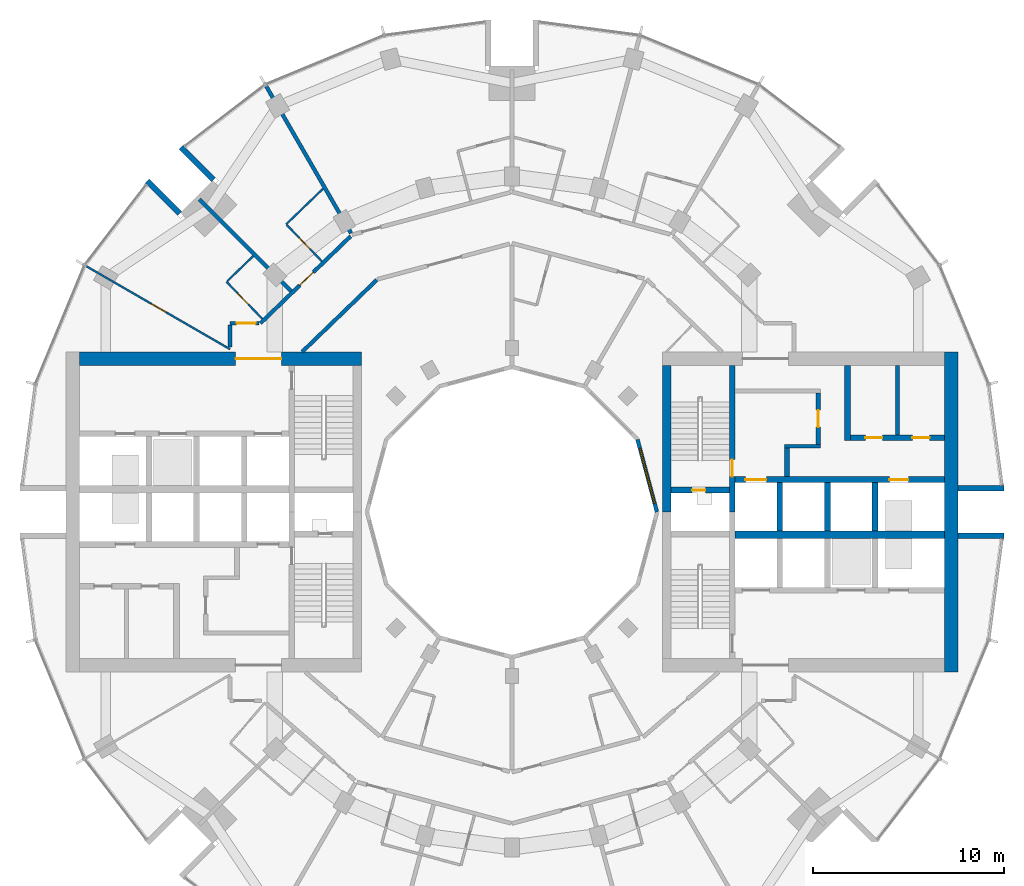
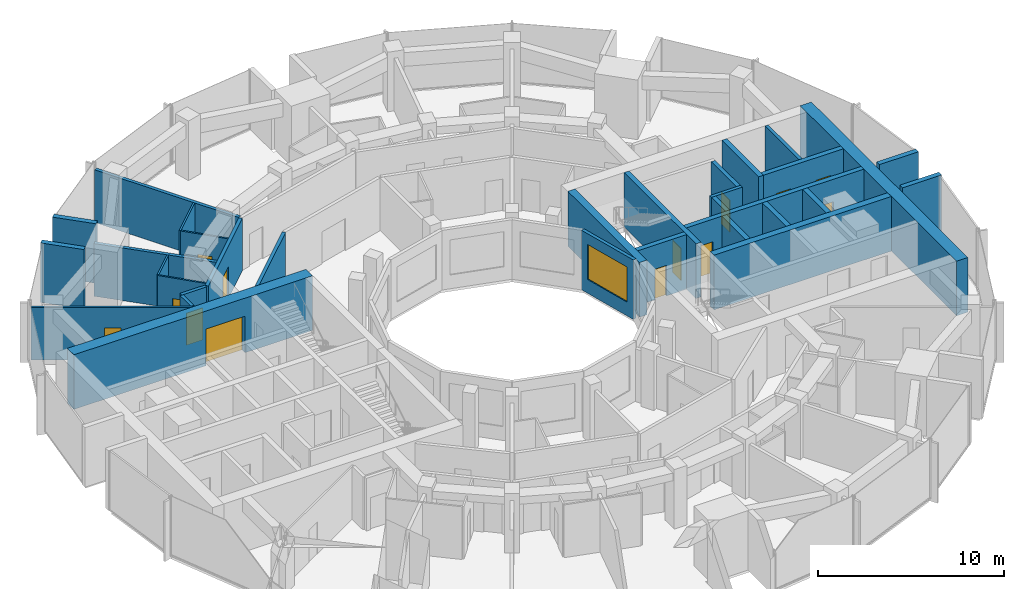
# One storey, part 11 of 15: 32 walls, 13 doors, 1 window, 14 openings.
"""IFC4 building model written with IfcOpenShell, lengths in metres."""

from ifc_helpers import new_model, si_unit, direction, frame, frame_2d, origin, place, context, subcontext, project, spatial, rectangle, extrude, material, layer, layer_set, type_object, element, fill, save


model = new_model("IFC4")

# Units and contexts
model_context = context("Model", 3, precision=1e-05, world=origin(), true_north=direction((0.0, 1.0)))
body_context = subcontext(model_context, "Body", "Model", "MODEL_VIEW")
ifc_project = project(units=[si_unit("LENGTHUNIT", "METRE"), si_unit("AREAUNIT", "SQUARE_METRE"), si_unit("VOLUMEUNIT", "CUBIC_METRE"), si_unit("PLANEANGLEUNIT", "RADIAN"), si_unit("MASSUNIT", "GRAM", prefix="KILO")], contexts=[model_context])

# Site, building, storey
site_placement = place(None, origin())
site = spatial("IfcSite", under=ifc_project, at=site_placement, CompositionType="ELEMENT")
building_placement = place(site_placement, origin())
building = spatial("IfcBuilding", under=site, at=building_placement, Name="Torre Brocal", CompositionType="ELEMENT")
storey_placement = place(building_placement, frame((0.0, 0.0, 114.60009765625)))
storey = spatial("IfcBuildingStorey", under=building, at=storey_placement, Name="L26", CompositionType="ELEMENT", Elevation=114.60009765625)

# Walls
ifc_material_1 = material(Name="Masonry block", Category="masonry")
ifc_layer_1 = layer(ifc_material_1, 0.199951171875)
ifc_layer_set_1 = layer_set([ifc_layer_1], Name="Masonry block")
wall_type_1 = type_object("IfcWallType", Name="CORE PARTITION 200", PredefinedType="PARTITIONING", material=ifc_layer_set_1)
wall_1_placement = place(storey_placement, frame((100.22509765625, 79.050048828125, 0.0), z_axis=(0.0, 0.0, 1.0), x_axis=(0.0, 1.0, 0.0)))
element("IfcWall", 1, at=wall_1_placement, inside=storey, type_object=wall_type_1, Name="Wall CP200", PredefinedType="PARTITIONING", context=body_context, shape_type="SweptSolid", body=[
    extrude(rectangle(XDim=3.64990234375, YDim=0.199951171875, at=frame_2d((1.824951171875, 0.0))), origin(), (0.0, 0.0, 1.0), 3.579833984375),
])
ifc_material_2 = material(Name="Concrete C70", Category="concrete")
ifc_layer_2 = layer(ifc_material_2, 0.199951171875)
ifc_layer_set_2 = layer_set([ifc_layer_2], Name="Concrete C70")
wall_type_2 = type_object("IfcWallType", Name="CORE WALL 200 C70", PredefinedType="SHEAR", material=ifc_layer_set_2)
wall_2_placement = place(storey_placement, frame((94.300048828125, 78.449951171875, 0.0), z_axis=(0.0, 0.0, 1.0), x_axis=(1.0, 0.0, 0.0)))
element("IfcWall", 2, at=wall_2_placement, inside=storey, type_object=wall_type_2, Name="Wall CW200-70", PredefinedType="SHEAR", context=body_context, shape_type="SweptSolid", body=[
    extrude(rectangle(XDim=1.89990234375, YDim=0.199951171875, at=frame_2d((0.949951171875, 0.0))), origin(), (0.0, 0.0, 1.0), 3.579833984375),
])

# Wall, opening, door
ifc_material_3 = material(Name="Concrete C70", Category="concrete")
ifc_layer_3 = layer(ifc_material_3, 0.25)
ifc_layer_set_3 = layer_set([ifc_layer_3], Name="Concrete C70")
wall_type_3 = type_object("IfcWallType", Name="CORE WALL 250 C70", PredefinedType="SHEAR", material=ifc_layer_set_3)
wall_3_placement = place(storey_placement, frame((96.074951171875, 78.550048828125, 0.0), z_axis=(0.0, 0.0, 1.0), x_axis=(0.0, 1.0, 0.0)))
wall_3 = element("IfcWall", 3, at=wall_3_placement, inside=storey, type_object=wall_type_3, Name="Wall CW250-70", PredefinedType="SHEAR", context=body_context, shape_type="SweptSolid", body=[
    extrude(rectangle(XDim=2.699951171875, YDim=0.25, at=frame_2d((1.35009765625, 0.0))), origin(), (0.0, 0.0, 1.0), 3.579833984375),
])
opening_1_placement = place(wall_3_placement, frame((0.89990234375, 0.0, 0.0)))
opening_1 = element("IfcOpeningElement", 4, at=opening_1_placement, cuts=wall_3, Name="Opening E-D15", PredefinedType="OPENING", context=body_context, shape_type="SweptSolid", body=[
    extrude(rectangle(XDim=0.89990234375, YDim=2.10009765625, at=frame_2d((0.449951171875, 1.050048828125))), frame((0.0, 0.135009765625, 0.0), z_axis=(0.0, -1.0, 0.0), x_axis=(1.0, 0.0, 0.0)), (0.0, 0.0, 1.0), 0.27001953125),
])
ifc_material_4 = material(Name="Steel A653", Category="steel")
door_type_1 = type_object("IfcDoorType", Name="LOBBY DOOR FD120 900X2100", OperationType="SINGLE_SWING_RIGHT", PredefinedType="DOOR", material=ifc_material_4)
door_1_placement = place(opening_1_placement, origin())
door_1 = element("IfcDoor", 5, at=door_1_placement, inside=storey, type_object=door_type_1, Name="Door E-D15", OperationType="SINGLE_SWING_LEFT", OverallHeight=2.10009765625, OverallWidth=0.89990234375, PredefinedType="DOOR", context=body_context, shape_type="SweptSolid", body=[
    extrude(rectangle(XDim=0.89990234375, YDim=2.10009765625, at=frame_2d((0.449951171875, 1.050048828125))), frame((0.0, 0.02490234375, 0.0), z_axis=(0.0, -1.0, 0.0), x_axis=(1.0, 0.0, 0.0)), (0.0, 0.0, 1.0), 0.050048828125),
])
fill(opening_1, door_1)

# Wall
wall_4_placement = place(storey_placement, frame((94.425048828125, 76.85009765625, 0.0), z_axis=(0.0, 0.0, 1.0), x_axis=(0.0, 1.0, 0.0)))
element("IfcWall", 6, at=wall_4_placement, inside=storey, type_object=wall_type_3, Name="Wall CW250-70", PredefinedType="SHEAR", context=body_context, shape_type="SweptSolid", body=[
    extrude(rectangle(XDim=1.5, YDim=0.25, at=frame_2d((0.75, 0.0))), origin(), (0.0, 0.0, 1.0), 3.579833984375),
])

# Wall, opening, door
ifc_material_5 = material(Name="Concrete C70", Category="concrete")
ifc_layer_4 = layer(ifc_material_5, 0.300048828125)
ifc_layer_set_4 = layer_set([ifc_layer_4], Name="Concrete C70")
wall_type_4 = type_object("IfcWallType", Name="CORE WALL 300 C70", PredefinedType="SHEAR", material=ifc_layer_set_4)
wall_5_placement = place(storey_placement, frame((91.550048828125, 75.0, 0.0), z_axis=(0.0, 0.0, 1.0), x_axis=(0.0, 1.0, 0.0)))
wall_5 = element("IfcWall", 7, at=wall_5_placement, inside=storey, type_object=wall_type_4, Name="Wall CW300-70", PredefinedType="SHEAR", context=body_context, shape_type="SweptSolid", body=[
    extrude(rectangle(XDim=7.699951171875, YDim=0.300048828125, at=frame_2d((3.85009765625, 0.0))), origin(), (0.0, 0.0, 1.0), 3.579833984375),
])
opening_2_placement = place(wall_5_placement, frame((1.85009765625, 0.0, 0.0)))
opening_2 = element("IfcOpeningElement", 8, at=opening_2_placement, cuts=wall_5, Name="Opening E-D02", PredefinedType="OPENING", context=body_context, shape_type="SweptSolid", body=[
    extrude(rectangle(XDim=0.89990234375, YDim=2.10009765625, at=frame_2d((0.449951171875, 1.050048828125))), frame((0.0, 0.159912109375, 0.0), z_axis=(0.0, -1.0, 0.0), x_axis=(1.0, 0.0, 0.0)), (0.0, 0.0, 1.0), 0.320068359375),
])
ifc_material_6 = material(Name="Steel A653", Category="steel")
door_type_2 = type_object("IfcDoorType", Name="STAIR DOOR FD120 900X2100", OperationType="SINGLE_SWING_RIGHT", PredefinedType="DOOR", material=ifc_material_6)
door_2_placement = place(opening_2_placement, origin())
door_2 = element("IfcDoor", 9, at=door_2_placement, inside=storey, type_object=door_type_2, Name="Door E-D02", OperationType="SINGLE_SWING_LEFT", OverallHeight=2.10009765625, OverallWidth=0.89990234375, PredefinedType="DOOR", context=body_context, shape_type="SweptSolid", body=[
    extrude(rectangle(XDim=0.89990234375, YDim=2.10009765625, at=frame_2d((0.449951171875, 1.050048828125))), frame((0.0, 0.02490234375, 0.0), z_axis=(0.0, -1.0, 0.0), x_axis=(1.0, 0.0, 0.0)), (0.0, 0.0, 1.0), 0.050048828125),
])
fill(opening_2, door_2)

wall_6_placement = place(storey_placement, frame((88.35009765625, 76.14990234375, 0.0), z_axis=(0.0, 0.0, 1.0), x_axis=(1.0, 0.0, 0.0)))
wall_6 = element("IfcWall", 10, at=wall_6_placement, inside=storey, type_object=wall_type_4, Name="Wall CW300-70", PredefinedType="SHEAR", context=body_context, shape_type="SweptSolid", body=[
    extrude(rectangle(XDim=3.0498046875, YDim=0.300048828125, at=frame_2d((1.52490234375, 0.0))), origin(), (0.0, 0.0, 1.0), 3.579833984375),
])
opening_3_placement = place(wall_6_placement, frame((1.10009765625, 0.0, 0.0)))
opening_3 = element("IfcOpeningElement", 11, at=opening_3_placement, cuts=wall_6, Name="Opening E-D01", PredefinedType="OPENING", context=body_context, shape_type="SweptSolid", body=[
    extrude(rectangle(XDim=0.699951171875, YDim=2.0, at=frame_2d((0.35009765625, 1.0))), frame((0.0, 0.159912109375, 0.0), z_axis=(0.0, -1.0, 0.0), x_axis=(1.0, 0.0, 0.0)), (0.0, 0.0, 1.0), 0.320068359375),
])
ifc_material_7 = material(Name="Steel A653", Category="steel")
door_type_3 = type_object("IfcDoorType", Name="RISER DOOR FD120 700X2000", OperationType="SINGLE_SWING_LEFT", PredefinedType="DOOR", material=ifc_material_7)
door_3_placement = place(opening_3_placement, frame((0.699951171875, 0.0, 0.0), z_axis=(0.0, 0.0, 1.0), x_axis=(-1.0, 0.0, 0.0)))
door_3 = element("IfcDoor", 12, at=door_3_placement, inside=storey, type_object=door_type_3, Name="Door E-D01", OperationType="SINGLE_SWING_RIGHT", OverallHeight=2.0, OverallWidth=0.699951171875, PredefinedType="DOOR", context=body_context, shape_type="SweptSolid", body=[
    extrude(rectangle(XDim=0.699951171875, YDim=2.0, at=frame_2d((0.35009765625, 1.0))), frame((0.0, 0.02490234375, 0.0), z_axis=(0.0, -1.0, 0.0), x_axis=(1.0, 0.0, 0.0)), (0.0, 0.0, 1.0), 0.050048828125),
])
fill(opening_3, door_3)

# Wall, openings, doors
wall_7_placement = place(storey_placement, frame((91.699951171875, 76.699951171875, 0.0), z_axis=(0.0, 0.0, 1.0), x_axis=(1.0, 0.0, 0.0)))
wall_7 = element("IfcWall", 13, at=wall_7_placement, inside=storey, type_object=wall_type_4, Name="Wall CW300-70", PredefinedType="SHEAR", context=body_context, shape_type="SweptSolid", body=[
    extrude(rectangle(XDim=11.0, YDim=0.300048828125, at=frame_2d((5.5, 0.0))), origin(), (0.0, 0.0, 1.0), 3.579833984375),
])
opening_4_placement = place(wall_7_placement, frame((0.550048828125, 0.0, 0.0)))
opening_4 = element("IfcOpeningElement", 14, at=opening_4_placement, cuts=wall_7, Name="Opening LD", PredefinedType="OPENING", context=body_context, shape_type="SweptSolid", body=[
    extrude(rectangle(XDim=1.10009765625, YDim=2.10009765625, at=frame_2d((0.550048828125, 1.050048828125))), frame((0.0, 0.159912109375, 0.0), z_axis=(0.0, -1.0, 0.0), x_axis=(1.0, 0.0, 0.0)), (0.0, 0.0, 1.0), 0.320068359375),
])
opening_5_placement = place(wall_7_placement, frame((8.10009765625, 0.0, 0.0)))
opening_5 = element("IfcOpeningElement", 15, at=opening_5_placement, cuts=wall_7, Name="Opening LD10", PredefinedType="OPENING", context=body_context, shape_type="SweptSolid", body=[
    extrude(rectangle(XDim=1.0, YDim=2.10009765625, at=frame_2d((0.5, 1.050048828125))), frame((0.0, 0.159912109375, 0.0), z_axis=(0.0, -1.0, 0.0), x_axis=(1.0, 0.0, 0.0)), (0.0, 0.0, 1.0), 0.320068359375),
])
ifc_material_8 = material(Name="Stainless steel AISI 316", Category="steel")
door_type_4 = type_object("IfcDoorType", Name="LIFT LANDING DOOR 1000X2100", OperationType="DOUBLE_DOOR_SLIDING", PredefinedType="DOOR", material=ifc_material_8)
door_4_placement = place(opening_5_placement, origin())
door_4 = element("IfcDoor", 16, at=door_4_placement, inside=storey, type_object=door_type_4, Name="Door LD10", OperationType="DOUBLE_DOOR_SLIDING", OverallHeight=2.10009765625, OverallWidth=1.0, PredefinedType="DOOR", context=body_context, shape_type="SweptSolid", body=[
    extrude(rectangle(XDim=1.0, YDim=2.10009765625, at=frame_2d((0.5, 1.050048828125))), frame((0.0, 0.02490234375, 0.0), z_axis=(0.0, -1.0, 0.0), x_axis=(1.0, 0.0, 0.0)), (0.0, 0.0, 1.0), 0.050048828125),
])
fill(opening_5, door_4)
ifc_material_9 = material(Name="Stainless steel AISI 316", Category="steel")
door_type_5 = type_object("IfcDoorType", Name="LIFT LANDING DOOR 1100X2100", OperationType="DOUBLE_DOOR_SLIDING", PredefinedType="DOOR", material=ifc_material_9)
door_5_placement = place(opening_4_placement, origin())
door_5 = element("IfcDoor", 17, at=door_5_placement, inside=storey, type_object=door_type_5, Name="Door LD", OperationType="DOUBLE_DOOR_SLIDING", OverallHeight=2.10009765625, OverallWidth=1.10009765625, PredefinedType="DOOR", context=body_context, shape_type="SweptSolid", body=[
    extrude(rectangle(XDim=1.10009765625, YDim=2.10009765625, at=frame_2d((0.550048828125, 1.050048828125))), frame((0.0, 0.02490234375, 0.0), z_axis=(0.0, -1.0, 0.0), x_axis=(1.0, 0.0, 0.0)), (0.0, 0.0, 1.0), 0.050048828125),
])
fill(opening_4, door_5)

# Walls
for number, where, z_axis, x_axis, name in (
    (18, (94.050048828125, 74.0, 0.0), (0.0, 0.0, 1.0), (0.0, 1.0, 0.0), "Wall CW300-70"),
    (19, (96.550048828125, 74.0, 0.0), (0.0, 0.0, 1.0), (0.0, 1.0, 0.0), "Wall CW300-70"),
    (20, (99.050048828125, 74.0, 0.0), (0.0, 0.0, 1.0), (0.0, 1.0, 0.0), "Wall CW300-70"),
):
    element("IfcWall", number, at=place(storey_placement, frame(where, z_axis=z_axis, x_axis=x_axis)), inside=storey, type_object=wall_type_4, Name=name, PredefinedType="SHEAR", context=body_context, shape_type="SweptSolid", body=[
        extrude(rectangle(XDim=2.550048828125, YDim=0.300048828125, at=frame_2d((1.27490234375, 0.0))), origin(), (0.0, 0.0, 1.0), 3.579833984375),
    ])
wall_8_placement = place(storey_placement, frame((97.60009765625, 78.75, 0.0), z_axis=(0.0, 0.0, 1.0), x_axis=(0.0, 1.0, 0.0)))
element("IfcWall", 21, at=wall_8_placement, inside=storey, type_object=wall_type_4, Name="Wall CW300-70", PredefinedType="SHEAR", context=body_context, shape_type="SweptSolid", body=[
    extrude(rectangle(XDim=3.949951171875, YDim=0.300048828125, at=frame_2d((1.97509765625, 0.0))), origin(), (0.0, 0.0, 1.0), 3.579833984375),
])

# Wall, openings, doors
wall_9_placement = place(storey_placement, frame((97.75, 78.89990234375, 0.0), z_axis=(0.0, 0.0, 1.0), x_axis=(1.0, 0.0, 0.0)))
wall_9 = element("IfcWall", 22, at=wall_9_placement, inside=storey, type_object=wall_type_4, Name="Wall CW300-70", PredefinedType="SHEAR", context=body_context, shape_type="SweptSolid", body=[
    extrude(rectangle(XDim=4.949951171875, YDim=0.300048828125, at=frame_2d((2.47509765625, 0.0))), origin(), (0.0, 0.0, 1.0), 3.579833984375),
])
opening_6_placement = place(wall_9_placement, frame((0.78759765625, 0.0, 0.0)))
opening_6 = element("IfcOpeningElement", 23, at=opening_6_placement, cuts=wall_9, Name="Opening E-D05", PredefinedType="OPENING", context=body_context, shape_type="SweptSolid", body=[
    extrude(rectangle(XDim=0.89990234375, YDim=2.10009765625, at=frame_2d((0.449951171875, 1.050048828125))), frame((0.0, 0.159912109375, 0.0), z_axis=(0.0, -1.0, 0.0), x_axis=(1.0, 0.0, 0.0)), (0.0, 0.0, 1.0), 0.320068359375),
])
opening_7_placement = place(wall_9_placement, frame((3.262451171875, 0.0, 0.0)))
opening_7 = element("IfcOpeningElement", 24, at=opening_7_placement, cuts=wall_9, Name="Opening E-D06", PredefinedType="OPENING", context=body_context, shape_type="SweptSolid", body=[
    extrude(rectangle(XDim=0.89990234375, YDim=2.10009765625, at=frame_2d((0.449951171875, 1.050048828125))), frame((0.0, 0.159912109375, 0.0), z_axis=(0.0, -1.0, 0.0), x_axis=(1.0, 0.0, 0.0)), (0.0, 0.0, 1.0), 0.320068359375),
])
ifc_material_10 = material(Name="Steel A653", Category="steel")
door_type_6 = type_object("IfcDoorType", Name="ROOM DOOR FD30S 900X2100", OperationType="SINGLE_SWING_LEFT", PredefinedType="DOOR", material=ifc_material_10)
door_6_placement = place(opening_6_placement, origin())
door_6 = element("IfcDoor", 25, at=door_6_placement, inside=storey, type_object=door_type_6, Name="Door E-D05", OperationType="SINGLE_SWING_RIGHT", OverallHeight=2.10009765625, OverallWidth=0.89990234375, PredefinedType="DOOR", context=body_context, shape_type="SweptSolid", body=[
    extrude(rectangle(XDim=0.89990234375, YDim=2.10009765625, at=frame_2d((0.449951171875, 1.050048828125))), frame((0.0, 0.02490234375, 0.0), z_axis=(0.0, -1.0, 0.0), x_axis=(1.0, 0.0, 0.0)), (0.0, 0.0, 1.0), 0.050048828125),
])
fill(opening_6, door_6)
door_7_placement = place(opening_7_placement, origin())
door_7 = element("IfcDoor", 26, at=door_7_placement, inside=storey, type_object=door_type_6, Name="Door E-D06", OperationType="SINGLE_SWING_LEFT", OverallHeight=2.10009765625, OverallWidth=0.89990234375, PredefinedType="DOOR", context=body_context, shape_type="SweptSolid", body=[
    extrude(rectangle(XDim=0.89990234375, YDim=2.10009765625, at=frame_2d((0.449951171875, 1.050048828125))), frame((0.0, 0.02490234375, 0.0), z_axis=(0.0, -1.0, 0.0), x_axis=(1.0, 0.0, 0.0)), (0.0, 0.0, 1.0), 0.050048828125),
])
fill(opening_7, door_7)

# Walls
ifc_material_11 = material(Name="Concrete C70", Category="concrete")
ifc_layer_5 = layer(ifc_material_11, 0.39990234375)
ifc_layer_set_5 = layer_set([ifc_layer_5], Name="Concrete C70")
wall_type_5 = type_object("IfcWallType", Name="CORE WALL 400 C70", PredefinedType="SHEAR", material=ifc_layer_set_5)
wall_10_placement = place(storey_placement, frame((91.699951171875, 73.800048828125, 0.0), z_axis=(0.0, 0.0, 1.0), x_axis=(1.0, 0.0, 0.0)))
element("IfcWall", 27, at=wall_10_placement, inside=storey, type_object=wall_type_5, Name="Wall CW400-70", PredefinedType="SHEAR", context=body_context, shape_type="SweptSolid", body=[
    extrude(rectangle(XDim=11.0, YDim=0.39990234375, at=frame_2d((5.5, 0.0))), origin(), (0.0, 0.0, 1.0), 3.579833984375),
])
ifc_material_12 = material(Name="Concrete C70", Category="concrete")
ifc_layer_6 = layer(ifc_material_12, 0.449951171875)
ifc_layer_set_6 = layer_set([ifc_layer_6], Name="Concrete C70")
wall_type_6 = type_object("IfcWallType", Name="CORE WALL 450 C70", PredefinedType="SHEAR", material=ifc_layer_set_6)
wall_11_placement = place(storey_placement, frame((88.125, 75.0, 0.0), z_axis=(0.0, 0.0, 1.0), x_axis=(0.0, 1.0, 0.0)))
element("IfcWall", 28, at=wall_11_placement, inside=storey, type_object=wall_type_6, Name="Wall CW450-70", PredefinedType="SHEAR", context=body_context, shape_type="SweptSolid", body=[
    extrude(rectangle(XDim=7.699951171875, YDim=0.449951171875, at=frame_2d((3.85009765625, 0.0))), origin(), (0.0, 0.0, 1.0), 3.579833984375),
])
ifc_material_13 = material(Name="Concrete C70", Category="concrete")
ifc_layer_7 = layer(ifc_material_13, 0.699951171875)
ifc_layer_set_7 = layer_set([ifc_layer_7], Name="Concrete C70")
wall_type_7 = type_object("IfcWallType", Name="CORE WALL 700 C70", PredefinedType="SHEAR", material=ifc_layer_set_7)
wall_12_placement = place(storey_placement, frame((103.050048828125, 66.60009765625, 0.0), z_axis=(0.0, 0.0, 1.0), x_axis=(0.0, 1.0, 0.0)))
element("IfcWall", 29, at=wall_12_placement, inside=storey, type_object=wall_type_7, Name="Wall CW700-70", PredefinedType="SHEAR", context=body_context, shape_type="SweptSolid", body=[
    extrude(rectangle(XDim=16.7998046875, YDim=0.699951171875, at=frame_2d((8.39990234375, 0.0))), origin(), (0.0, 0.0, 1.0), 3.579833984375),
])

# Wall, opening, door
wall_13_placement = place(storey_placement, frame((72.10009765625, 83.050048828125, 0.0), z_axis=(0.0, 0.0, 1.0), x_axis=(-1.0, 0.0, 0.0)))
wall_13 = element("IfcWall", 30, at=wall_13_placement, inside=storey, type_object=wall_type_7, Name="Wall CW700-70", PredefinedType="SHEAR", context=body_context, shape_type="SweptSolid", body=[
    extrude(rectangle(XDim=14.800048828125, YDim=0.699951171875, at=frame_2d((7.39990234375, 0.0))), origin(), (0.0, 0.0, 1.0), 3.579833984375),
])
opening_8_placement = place(wall_13_placement, frame((4.199951171875, 0.0, 0.0)))
opening_8 = element("IfcOpeningElement", 31, at=opening_8_placement, cuts=wall_13, Name="Opening W-D27", PredefinedType="OPENING", context=body_context, shape_type="SweptSolid", body=[
    extrude(rectangle(XDim=2.39990234375, YDim=2.39990234375, at=frame_2d((1.199951171875, 1.199951171875))), frame((0.0, 0.35986328125, 0.0), z_axis=(0.0, -1.0, 0.0), x_axis=(1.0, 0.0, 0.0)), (0.0, 0.0, 1.0), 0.719970703125),
])
ifc_material_14 = material(Name="Steel A653", Category="steel")
door_type_7 = type_object("IfcDoorType", Name="DOUBLE FIRE DOOR FD90 2400X2400", OperationType="DOUBLE_DOOR_SINGLE_SWING", PredefinedType="DOOR", material=ifc_material_14)
door_8_placement = place(opening_8_placement, origin())
door_8 = element("IfcDoor", 32, at=door_8_placement, inside=storey, type_object=door_type_7, Name="Door W-D27", OperationType="DOUBLE_DOOR_SINGLE_SWING", OverallHeight=2.39990234375, OverallWidth=2.39990234375, PredefinedType="DOOR", context=body_context, shape_type="SweptSolid", body=[
    extrude(rectangle(XDim=2.39990234375, YDim=2.39990234375, at=frame_2d((1.199951171875, 1.199951171875))), frame((0.0, 0.02490234375, 0.0), z_axis=(0.0, -1.0, 0.0), x_axis=(1.0, 0.0, 0.0)), (0.0, 0.0, 1.0), 0.050048828125),
])
fill(opening_8, door_8)

# Walls
ifc_material_15 = material(Name="Concrete C70", Category="concrete")
ifc_layer_8 = layer(ifc_material_15, 0.300048828125)
ifc_layer_set_8 = layer_set([ifc_layer_8], Name="Concrete C70")
wall_type_8 = type_object("IfcWallType", Name="NOTCH RETURN WALL 300 C70", PredefinedType="NOTDEFINED", material=ifc_layer_set_8)
for number, where, z_axis, x_axis, name in (
    (33, (103.39990234375, 73.75, 0.0), (0.0, 0.0, 1.0), (1.0, 0.0, 0.0), "NOTCH RETURN WALL"),
    (34, (103.39990234375, 76.25, 0.0), (0.0, 0.0, 1.0), (1.0, 0.0, 0.0), "NOTCH RETURN WALL"),
    (35, (64.337646484375, 92.43017578125, 0.0), (0.0, 0.0, 1.0), (-0.707106781187, 0.707106781187, 0.0), "NOTCH RETURN WALL"),
    (36, (62.56982421875, 90.662353515625, 0.0), (0.0, 0.0, 1.0), (-0.707106781187, 0.707106781187, 0.0), "NOTCH RETURN WALL"),
):
    element("IfcWall", number, at=place(storey_placement, frame(where, z_axis=z_axis, x_axis=x_axis)), inside=storey, type_object=wall_type_8, Name=name, PredefinedType="NOTDEFINED", context=body_context, shape_type="SweptSolid", body=[
        extrude(rectangle(XDim=2.415771484375, YDim=0.300048828125, at=frame_2d((1.2080078125, 0.0))), origin(), (0.0, 0.0, 1.0), 3.89990234375),
    ])

# Wall, opening, door
ifc_material_16 = material(Name="Gypsum board", Category="Gypsum")
ifc_layer_9 = layer(ifc_material_16, 0.10009765625)
ifc_layer_set_9 = layer_set([ifc_layer_9], Name="Gypsum board")
wall_type_9 = type_object("IfcWallType", Name="PARTITION 100", PredefinedType="PARTITIONING", material=ifc_layer_set_9)
wall_14_placement = place(storey_placement, frame((57.65869140625, 87.89892578125, 0.0), z_axis=(0.0, 0.0, 1.0), x_axis=(0.86602264145, -0.500004784474, 0.0)))
wall_14 = element("IfcWall", 37, at=wall_14_placement, inside=storey, type_object=wall_type_9, Name="ROOM PARTITION", PredefinedType="PARTITIONING", context=body_context, shape_type="SweptSolid", body=[
    extrude(rectangle(XDim=8.7080078125, YDim=0.10009765625, at=frame_2d((4.35400390625, 0.0))), origin(), (0.0, 0.0, 1.0), 3.449951171875),
])
opening_9_placement = place(wall_14_placement, frame((3.928955078125, 0.0, 0.0)))
opening_9 = element("IfcOpeningElement", 38, at=opening_9_placement, cuts=wall_14, Name="Opening E01-D13", PredefinedType="OPENING", context=body_context, shape_type="SweptSolid", body=[
    extrude(rectangle(XDim=0.89990234375, YDim=2.10009765625, at=frame_2d((0.449951171875, 1.050048828125))), frame((0.0, 0.06005859375, 0.0), z_axis=(0.0, -1.0, 0.0), x_axis=(1.0, 0.0, 0.0)), (0.0, 0.0, 1.0), 0.1201171875),
])
ifc_material_17 = material(Name="Timber", Category="wood")
door_type_8 = type_object("IfcDoorType", Name="ROOM DOOR 900X2100", OperationType="SINGLE_SWING_LEFT", PredefinedType="DOOR", material=ifc_material_17)
door_9_placement = place(opening_9_placement, frame((0.89990234375, 0.0, 0.0), z_axis=(0.0, 0.0, 1.0), x_axis=(-1.0, 0.0, 0.0)))
door_9 = element("IfcDoor", 39, at=door_9_placement, inside=storey, type_object=door_type_8, Name="E01-D13", OperationType="SINGLE_SWING_LEFT", OverallHeight=2.10009765625, OverallWidth=0.89990234375, PredefinedType="DOOR", context=body_context, shape_type="SweptSolid", body=[
    extrude(rectangle(XDim=0.89990234375, YDim=2.10009765625, at=frame_2d((0.449951171875, 1.050048828125))), frame((0.0, 0.02490234375, 0.0), z_axis=(0.0, -1.0, 0.0), x_axis=(1.0, 0.0, 0.0)), (0.0, 0.0, 1.0), 0.050048828125),
])
fill(opening_9, door_9)

# Wall
wall_15_placement = place(storey_placement, frame((65.058837890625, 87.11376953125, 0.0), z_axis=(0.0, 0.0, 1.0), x_axis=(0.719715847356, 0.694268751324, 0.0)))
element("IfcWall", 40, at=wall_15_placement, inside=storey, type_object=wall_type_9, Name="BATHROOM WALL", PredefinedType="PARTITIONING", context=body_context, shape_type="SweptSolid", body=[
    extrude(rectangle(XDim=1.899658203125, YDim=0.10009765625, at=frame_2d((0.94970703125, 0.0))), origin(), (0.0, 0.0, 1.0), 3.449951171875),
])

# Wall, opening, door
wall_16_placement = place(storey_placement, frame((65.02294921875, 87.0791015625, 0.0), z_axis=(0.0, 0.0, 1.0), x_axis=(0.694287838235, -0.719697434815, 0.0)))
wall_16 = element("IfcWall", 41, at=wall_16_placement, inside=storey, type_object=wall_type_9, Name="BATHROOM WALL", PredefinedType="PARTITIONING", context=body_context, shape_type="SweptSolid", body=[
    extrude(rectangle(XDim=2.699951171875, YDim=0.10009765625, at=frame_2d((1.35009765625, 0.0))), origin(), (0.0, 0.0, 1.0), 3.449951171875),
])
opening_10_placement = place(wall_16_placement, frame((0.849853515625, 0.0, 0.0)))
opening_10 = element("IfcOpeningElement", 42, at=opening_10_placement, cuts=wall_16, Name="Opening E01-D12", PredefinedType="OPENING", context=body_context, shape_type="SweptSolid", body=[
    extrude(rectangle(XDim=0.800048828125, YDim=2.10009765625, at=frame_2d((0.39990234375, 1.050048828125))), frame((0.0, 0.06005859375, 0.0), z_axis=(0.0, -1.0, 0.0), x_axis=(1.0, 0.0, 0.0)), (0.0, 0.0, 1.0), 0.1201171875),
])
ifc_material_18 = material(Name="Timber", Category="wood")
door_type_9 = type_object("IfcDoorType", Name="BATHROOM DOOR 800X2100", OperationType="SINGLE_SWING_LEFT", PredefinedType="DOOR", material=ifc_material_18)
door_10_placement = place(opening_10_placement, origin())
door_10 = element("IfcDoor", 43, at=door_10_placement, inside=storey, type_object=door_type_9, Name="E01-D12", OperationType="SINGLE_SWING_LEFT", OverallHeight=2.10009765625, OverallWidth=0.800048828125, PredefinedType="DOOR", context=body_context, shape_type="SweptSolid", body=[
    extrude(rectangle(XDim=0.800048828125, YDim=2.10009765625, at=frame_2d((0.39990234375, 1.050048828125))), frame((0.0, 0.02490234375, 0.0), z_axis=(0.0, -1.0, 0.0), x_axis=(1.0, 0.0, 0.0)), (0.0, 0.0, 1.0), 0.050048828125),
])
fill(opening_10, door_10)

wall_17_placement = place(storey_placement, frame((68.184814453125, 90.06005859375, 0.0), z_axis=(0.0, 0.0, 1.0), x_axis=(0.69446127412, -0.719530081892, 0.0)))
wall_17 = element("IfcWall", 44, at=wall_17_placement, inside=storey, type_object=wall_type_9, Name="BATHROOM WALL", PredefinedType="PARTITIONING", context=body_context, shape_type="SweptSolid", body=[
    extrude(rectangle(XDim=2.64892578125, YDim=0.10009765625, at=frame_2d((1.324462890625, 0.0))), origin(), (0.0, 0.0, 1.0), 3.449951171875),
])
opening_11_placement = place(wall_17_placement, frame((0.94970703125, 0.0, 0.0)))
opening_11 = element("IfcOpeningElement", 45, at=opening_11_placement, cuts=wall_17, Name="Opening E01-D10", PredefinedType="OPENING", context=body_context, shape_type="SweptSolid", body=[
    extrude(rectangle(XDim=0.800048828125, YDim=2.10009765625, at=frame_2d((0.39990234375, 1.050048828125))), frame((0.0, 0.06005859375, 0.0), z_axis=(0.0, -1.0, 0.0), x_axis=(1.0, 0.0, 0.0)), (0.0, 0.0, 1.0), 0.1201171875),
])
door_11_placement = place(opening_11_placement, origin())
door_11 = element("IfcDoor", 46, at=door_11_placement, inside=storey, type_object=door_type_9, Name="E01-D10", OperationType="SINGLE_SWING_RIGHT", OverallHeight=2.10009765625, OverallWidth=0.800048828125, PredefinedType="DOOR", context=body_context, shape_type="SweptSolid", body=[
    extrude(rectangle(XDim=0.800048828125, YDim=2.10009765625, at=frame_2d((0.39990234375, 1.050048828125))), frame((0.0, 0.02490234375, 0.0), z_axis=(0.0, -1.0, 0.0), x_axis=(1.0, 0.0, 0.0)), (0.0, 0.0, 1.0), 0.050048828125),
])
fill(opening_11, door_11)

# Walls
wall_18_placement = place(storey_placement, frame((68.150146484375, 90.095947265625, 0.0), z_axis=(0.0, 0.0, 1.0), x_axis=(0.719667544954, 0.694318820672, 0.0)))
element("IfcWall", 47, at=wall_18_placement, inside=storey, type_object=wall_type_9, Name="BATHROOM WALL", PredefinedType="PARTITIONING", context=body_context, shape_type="SweptSolid", body=[
    extrude(rectangle(XDim=2.68701171875, YDim=0.10009765625, at=frame_2d((1.343505859375, 0.0))), origin(), (0.0, 0.0, 1.0), 3.449951171875),
])
ifc_material_19 = material(Name="Gypsum board", Category="Gypsum")
ifc_layer_10 = layer(ifc_material_19, 0.199951171875)
ifc_layer_set_10 = layer_set([ifc_layer_10], Name="Gypsum board")
wall_type_10 = type_object("IfcWallType", Name="PARTITION 200 EI60", PredefinedType="PARTITIONING", material=ifc_layer_set_10)
wall_19_placement = place(storey_placement, frame((63.598388671875, 91.408203125, 0.0), z_axis=(0.0, 0.0, 1.0), x_axis=(0.706963264491, -0.707250268759, 0.0)))
element("IfcWall", 48, at=wall_19_placement, inside=storey, type_object=wall_type_10, Name="BATHROOM WALL", PredefinedType="PARTITIONING", context=body_context, shape_type="SweptSolid", body=[
    extrude(rectangle(XDim=6.80517578125, YDim=0.199951171875, at=frame_2d((3.402587890625, 0.0))), origin(), (0.0, 0.0, 1.0), 3.449951171875),
])
wall_20_placement = place(storey_placement, frame((65.199951171875, 83.64990234375, 0.0), z_axis=(0.0, 0.0, 1.0), x_axis=(0.0, 1.0, 0.0)))
element("IfcWall", 49, at=wall_20_placement, inside=storey, type_object=wall_type_10, Name="GUESTROOM CORRIDOR WALL", PredefinedType="PARTITIONING", context=body_context, shape_type="SweptSolid", body=[
    extrude(rectangle(XDim=1.150146484375, YDim=0.199951171875, at=frame_2d((0.5751953125, 0.0))), origin(), (0.0, 0.0, 1.0), 3.449951171875),
])

# Wall, opening, door
wall_21_placement = place(storey_placement, frame((65.199951171875, 84.89990234375, 0.0), z_axis=(0.0, 0.0, 1.0), x_axis=(1.0, 0.0, 0.0)))
wall_21 = element("IfcWall", 50, at=wall_21_placement, inside=storey, type_object=wall_type_10, Name="GUESTROOM CORRIDOR WALL", PredefinedType="PARTITIONING", context=body_context, shape_type="SweptSolid", body=[
    extrude(rectangle(XDim=1.537109375, YDim=0.199951171875, at=frame_2d((0.7685546875, 0.0))), origin(), (0.0, 0.0, 1.0), 3.449951171875),
])
opening_12_placement = place(wall_21_placement, frame((0.346923828125, 0.0, 0.0)))
opening_12 = element("IfcOpeningElement", 51, at=opening_12_placement, cuts=wall_21, Name="Opening E01-D11", PredefinedType="OPENING", context=body_context, shape_type="SweptSolid", body=[
    extrude(rectangle(XDim=1.0, YDim=2.10009765625, at=frame_2d((0.5, 1.050048828125))), frame((0.0, 0.10986328125, 0.0), z_axis=(0.0, -1.0, 0.0), x_axis=(1.0, 0.0, 0.0)), (0.0, 0.0, 1.0), 0.219970703125),
])
ifc_material_20 = material(Name="Timber", Category="wood")
door_type_10 = type_object("IfcDoorType", Name="FLAT ENTRY DOOR FD30S 1000X2100", OperationType="SINGLE_SWING_RIGHT", PredefinedType="DOOR", material=ifc_material_20)
door_12_placement = place(opening_12_placement, origin())
door_12 = element("IfcDoor", 52, at=door_12_placement, inside=storey, type_object=door_type_10, Name="E01-D11", OperationType="SINGLE_SWING_LEFT", OverallHeight=2.10009765625, OverallWidth=1.0, PredefinedType="DOOR", context=body_context, shape_type="SweptSolid", body=[
    extrude(rectangle(XDim=1.0, YDim=2.10009765625, at=frame_2d((0.5, 1.050048828125))), frame((0.0, 0.02490234375, 0.0), z_axis=(0.0, -1.0, 0.0), x_axis=(1.0, 0.0, 0.0)), (0.0, 0.0, 1.0), 0.050048828125),
])
fill(opening_12, door_12)

wall_22_placement = place(storey_placement, frame((66.796630859375, 84.900390625, 0.0), z_axis=(0.0, 0.0, 1.0), x_axis=(0.719692092412, 0.694293376116, 0.0)))
wall_22 = element("IfcWall", 53, at=wall_22_placement, inside=storey, type_object=wall_type_10, Name="GUESTROOM CORRIDOR WALL", PredefinedType="PARTITIONING", context=body_context, shape_type="SweptSolid", body=[
    extrude(rectangle(XDim=6.58447265625, YDim=0.199951171875, at=frame_2d((3.292236328125, 0.0))), origin(), (0.0, 0.0, 1.0), 3.449951171875),
])
opening_13_placement = place(wall_22_placement, frame((2.8662109375, 0.0, 0.0)))
opening_13 = element("IfcOpeningElement", 54, at=opening_13_placement, cuts=wall_22, Name="Opening E01-D09", PredefinedType="OPENING", context=body_context, shape_type="SweptSolid", body=[
    extrude(rectangle(XDim=1.0, YDim=2.10009765625, at=frame_2d((0.5, 1.050048828125))), frame((0.0, 0.10986328125, 0.0), z_axis=(0.0, -1.0, 0.0), x_axis=(1.0, 0.0, 0.0)), (0.0, 0.0, 1.0), 0.219970703125),
])
door_13_placement = place(opening_13_placement, origin())
door_13 = element("IfcDoor", 55, at=door_13_placement, inside=storey, type_object=door_type_10, Name="E01-D09", OperationType="SINGLE_SWING_LEFT", OverallHeight=2.10009765625, OverallWidth=1.0, PredefinedType="DOOR", context=body_context, shape_type="SweptSolid", body=[
    extrude(rectangle(XDim=1.0, YDim=2.10009765625, at=frame_2d((0.5, 1.050048828125))), frame((0.0, 0.02490234375, 0.0), z_axis=(0.0, -1.0, 0.0), x_axis=(1.0, 0.0, 0.0)), (0.0, 0.0, 1.0), 0.050048828125),
])
fill(opening_13, door_13)

# Walls
wall_23_placement = place(storey_placement, frame((67.102294921875, 97.342041015625, 0.0), z_axis=(0.0, 0.0, 1.0), x_axis=(0.499927298089, -0.866067374183, 0.0)))
element("IfcWall", 56, at=wall_23_placement, inside=storey, type_object=wall_type_10, Name="BATHROOM WALL", PredefinedType="PARTITIONING", context=body_context, shape_type="SweptSolid", body=[
    extrude(rectangle(XDim=8.906982421875, YDim=0.199951171875, at=frame_2d((4.45361328125, 0.0))), origin(), (0.0, 0.0, 1.0), 3.449951171875),
])
wall_24_placement = place(storey_placement, frame((68.9873046875, 83.39990234375, 0.0), z_axis=(0.0, 0.0, 1.0), x_axis=(0.719586298962, 0.694403022997, 0.0)))
element("IfcWall", 57, at=wall_24_placement, inside=storey, type_object=wall_type_10, Name="GUESTROOM CORRIDOR WALL", PredefinedType="PARTITIONING", context=body_context, shape_type="SweptSolid", body=[
    extrude(rectangle(XDim=5.438720703125, YDim=0.199951171875, at=frame_2d((2.71923828125, 0.0))), origin(), (0.0, 0.0, 1.0), 3.449951171875),
])

# Wall, opening, window
ifc_material_21 = material(Name="Concrete C40", Category="concrete")
ifc_layer_11 = layer(ifc_material_21, 0.199951171875)
ifc_layer_set_11 = layer_set([ifc_layer_11], Name="Concrete C40")
wall_type_11 = type_object("IfcWallType", Name="WELL FACADE WALL 200", PredefinedType="NOTDEFINED", material=ifc_layer_set_11)
wall_25_placement = place(storey_placement, frame((87.603515625, 75.0, 0.0), z_axis=(0.0, 0.0, 1.0), x_axis=(-0.258789828301, 0.965933654434, 0.0)))
wall_25 = element("IfcWall", 58, at=wall_25_placement, inside=storey, type_object=wall_type_11, Name="WELL FACADE WALL", PredefinedType="NOTDEFINED", context=body_context, shape_type="SweptSolid", body=[
    extrude(rectangle(XDim=3.935791015625, YDim=0.199951171875, at=frame_2d((1.9677734375, 0.0))), origin(), (0.0, 0.0, 1.0), 3.89990234375),
])
opening_14_placement = place(wall_25_placement, frame((0.468017578125, 0.0, 0.89990234375)))
opening_14 = element("IfcOpeningElement", 59, at=opening_14_placement, cuts=wall_25, Name="Opening W1", PredefinedType="OPENING", context=body_context, shape_type="SweptSolid", body=[
    extrude(rectangle(XDim=3.0, YDim=2.300048828125, at=frame_2d((1.5, 1.14990234375))), frame((0.0, 0.10986328125, 0.0), z_axis=(0.0, -1.0, 0.0), x_axis=(1.0, 0.0, 0.0)), (0.0, 0.0, 1.0), 0.219970703125),
])
ifc_material_22 = material(Name="Aluminium and glass", Category="aluminium")
window_type = type_object("IfcWindowType", Name="WELL WINDOW 3000X2300", PartitioningType="SINGLE_PANEL", PredefinedType="WINDOW", material=ifc_material_22)
window_placement = place(opening_14_placement, origin())
window = element("IfcWindow", 60, at=window_placement, inside=storey, type_object=window_type, Name="WELL WINDOW 3000X2300", OverallHeight=2.300048828125, OverallWidth=3.0, PartitioningType="SINGLE_PANEL", PredefinedType="WINDOW", context=body_context, shape_type="SweptSolid", body=[
    extrude(rectangle(XDim=3.0, YDim=2.300048828125, at=frame_2d((1.5, 1.14990234375))), frame((0.0, 0.030029296875, 0.0), z_axis=(0.0, -1.0, 0.0), x_axis=(1.0, 0.0, 0.0)), (0.0, 0.0, 1.0), 0.06005859375),
])
fill(opening_14, window)

save(model, "model.ifc")
